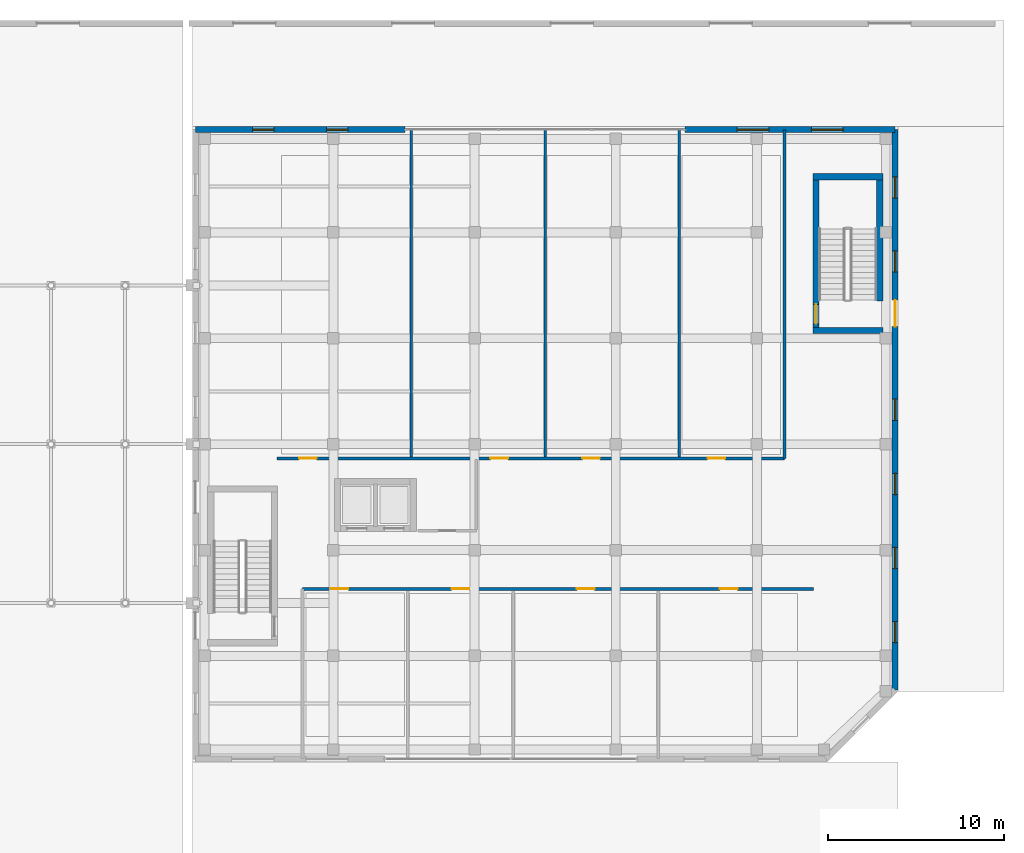
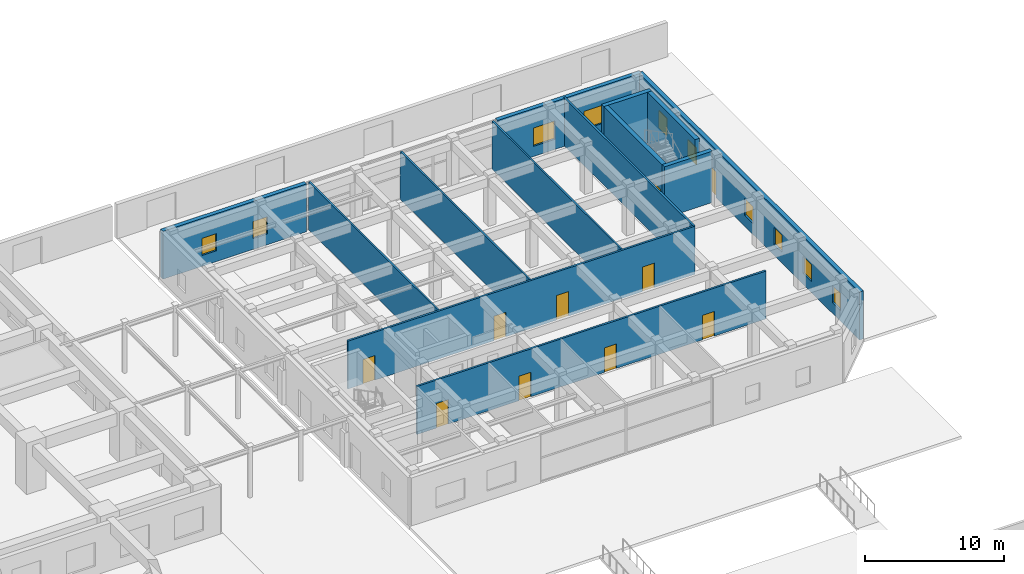
# One storey, part 28 of 39: 13 walls, 10 doors, 10 windows, 20 openings.
"""IFC4 building model written with IfcOpenShell, lengths in metres."""

from ifc_helpers import new_model, si_unit, direction, frame, frame_2d, origin, place, context, subcontext, project, spatial, rectangle, extrude, source, transform, mapped, material, layer, layer_set, type_object, element, fill, save


model = new_model("IFC4")

# Units and contexts
model_context = context("Model", 3, precision=1e-05, world=origin(), true_north=direction((0.0, 1.0)))
body_context = subcontext(model_context, "Body", "Model", "MODEL_VIEW")
ifc_project = project(units=[si_unit("LENGTHUNIT", "METRE"), si_unit("AREAUNIT", "SQUARE_METRE"), si_unit("VOLUMEUNIT", "CUBIC_METRE"), si_unit("PLANEANGLEUNIT", "RADIAN"), si_unit("MASSUNIT", "GRAM", prefix="KILO")], contexts=[model_context])

# Site, building, storey
site_placement = place(None, origin())
site = spatial("IfcSite", under=ifc_project, at=site_placement, CompositionType="ELEMENT")
building_placement = place(site_placement, origin())
building = spatial("IfcBuilding", under=site, at=building_placement, Name="Khoralis Quay Care Tower", CompositionType="ELEMENT")
storey_placement = place(building_placement, origin())
storey = spatial("IfcBuildingStorey", under=building, at=storey_placement, Name="L00", CompositionType="ELEMENT", Elevation=0.0)

# Wall, openings, doors
ifc_material_1 = material(Name="Gypsum plasterboard on acoustic metal stud")
ifc_layer_1 = layer(ifc_material_1, 0.1650390625)
ifc_layer_set_1 = layer_set([ifc_layer_1], Name="Gypsum plasterboard on acoustic metal stud")
wall_type_1 = type_object("IfcWallType", Name="WL-CORR-165", PredefinedType="PARTITIONING", material=ifc_layer_set_1)
wall_1_placement = place(storey_placement, frame((74.25, 15.800048828125, 0.0), z_axis=(0.0, 0.0, 1.0), x_axis=(1.0, 0.0, 0.0)))
wall_1 = element("IfcWall", 1, at=wall_1_placement, inside=storey, type_object=wall_type_1, Name="L00 School Corridor South Wall", PredefinedType="PARTITIONING", context=body_context, shape_type="SweptSolid", body=[
    extrude(rectangle(XDim=28.949951171875, YDim=0.1650390625, at=frame_2d((14.47509765625, 0.0))), origin(), (0.0, 0.0, 1.0), 4.199951171875),
])
opening_1_placement = place(wall_1_placement, frame((1.60009765625, 0.0, 0.0)))
opening_1 = element("IfcOpeningElement", 2, at=opening_1_placement, cuts=wall_1, Name="Opening SCD1", PredefinedType="OPENING", context=body_context, shape_type="SweptSolid", body=[
    extrude(rectangle(XDim=1.0, YDim=2.14990234375, at=frame_2d((0.5, 1.074951171875))), frame((0.0, 0.092529296875, 0.0), z_axis=(0.0, -1.0, 0.0), x_axis=(1.0, 0.0, 0.0)), (0.0, 0.0, 1.0), 0.18505859375),
])
opening_2_placement = place(wall_1_placement, frame((8.449951171875, 0.0, 0.0)))
opening_2 = element("IfcOpeningElement", 3, at=opening_2_placement, cuts=wall_1, Name="Opening SCD1", PredefinedType="OPENING", context=body_context, shape_type="SweptSolid", body=[
    extrude(rectangle(XDim=1.0, YDim=2.14990234375, at=frame_2d((0.5, 1.074951171875))), frame((0.0, 0.092529296875, 0.0), z_axis=(0.0, -1.0, 0.0), x_axis=(1.0, 0.0, 0.0)), (0.0, 0.0, 1.0), 0.18505859375),
])
opening_3_placement = place(wall_1_placement, frame((15.550048828125, 0.0, 0.0)))
opening_3 = element("IfcOpeningElement", 4, at=opening_3_placement, cuts=wall_1, Name="Opening SCD1", PredefinedType="OPENING", context=body_context, shape_type="SweptSolid", body=[
    extrude(rectangle(XDim=1.0, YDim=2.14990234375, at=frame_2d((0.5, 1.074951171875))), frame((0.0, 0.092529296875, 0.0), z_axis=(0.0, -1.0, 0.0), x_axis=(1.0, 0.0, 0.0)), (0.0, 0.0, 1.0), 0.18505859375),
])
opening_4_placement = place(wall_1_placement, frame((23.64990234375, 0.0, 0.0)))
opening_4 = element("IfcOpeningElement", 5, at=opening_4_placement, cuts=wall_1, Name="Opening SCD1", PredefinedType="OPENING", context=body_context, shape_type="SweptSolid", body=[
    extrude(rectangle(XDim=1.0, YDim=2.14990234375, at=frame_2d((0.5, 1.074951171875))), frame((0.0, 0.092529296875, 0.0), z_axis=(0.0, -1.0, 0.0), x_axis=(1.0, 0.0, 0.0)), (0.0, 0.0, 1.0), 0.18505859375),
])
ifc_material_2 = material(Name="Acoustic hardwood timber", Category="wood")
door_type_1 = type_object("IfcDoorType", Name="DR-SCH-1000X2150", OperationType="NOTDEFINED", PredefinedType="DOOR", material=ifc_material_2)
shared_shape_1 = source(origin(), body_context, "Body", "SweptSolid", [
    extrude(rectangle(XDim=1.0, YDim=2.14990234375, at=frame_2d((0.5, 1.074951171875))), frame((0.0, 0.02490234375, 0.0), z_axis=(0.0, -1.0, 0.0), x_axis=(1.0, 0.0, 0.0)), (0.0, 0.0, 1.0), 0.050048828125),
])
door_1_placement = place(opening_1_placement, frame((1.0, 0.0, 0.0), z_axis=(0.0, 0.0, 1.0), x_axis=(-1.0, 0.0, 0.0)))
door_1 = element("IfcDoor", 6, at=door_1_placement, inside=storey, type_object=door_type_1, Name="L00 Primary Classroom Door", OperationType="SINGLE_SWING_LEFT", OverallHeight=2.14990234375, OverallWidth=1.0, PredefinedType="DOOR", context=body_context, shape_type="MappedRepresentation", body=[
    mapped(shared_shape_1, transform((0.0, 0.0, 0.0), scale=1.0)),
])
fill(opening_1, door_1)
door_2_placement = place(opening_2_placement, frame((1.0, 0.0, 0.0), z_axis=(0.0, 0.0, 1.0), x_axis=(-1.0, 0.0, 0.0)))
door_2 = element("IfcDoor", 7, at=door_2_placement, inside=storey, type_object=door_type_1, Name="L00 STEM Science Laboratory Door", OperationType="SINGLE_SWING_RIGHT", OverallHeight=2.14990234375, OverallWidth=1.0, PredefinedType="DOOR", context=body_context, shape_type="MappedRepresentation", body=[
    mapped(shared_shape_1, transform((0.0, 0.0, 0.0), scale=1.0)),
])
fill(opening_2, door_2)
door_3_placement = place(opening_3_placement, frame((1.0, 0.0, 0.0), z_axis=(0.0, 0.0, 1.0), x_axis=(-1.0, 0.0, 0.0)))
door_3 = element("IfcDoor", 8, at=door_3_placement, inside=storey, type_object=door_type_1, Name="L00 Digital Media Classroom Door", OperationType="SINGLE_SWING_LEFT", OverallHeight=2.14990234375, OverallWidth=1.0, PredefinedType="DOOR", context=body_context, shape_type="MappedRepresentation", body=[
    mapped(shared_shape_1, transform((0.0, 0.0, 0.0), scale=1.0)),
])
fill(opening_3, door_3)
door_4_placement = place(opening_4_placement, frame((1.0, 0.0, 0.0), z_axis=(0.0, 0.0, 1.0), x_axis=(-1.0, 0.0, 0.0)))
door_4 = element("IfcDoor", 9, at=door_4_placement, inside=storey, type_object=door_type_1, Name="L00 Music & Drama Atelier Door", OperationType="SINGLE_SWING_RIGHT", OverallHeight=2.14990234375, OverallWidth=1.0, PredefinedType="DOOR", context=body_context, shape_type="MappedRepresentation", body=[
    mapped(shared_shape_1, transform((0.0, 0.0, 0.0), scale=1.0)),
])
fill(opening_4, door_4)

wall_2_placement = place(storey_placement, frame((72.800048828125, 23.199951171875, 0.0), z_axis=(0.0, 0.0, 1.0), x_axis=(1.0, 0.0, 0.0)))
wall_2 = element("IfcWall", 10, at=wall_2_placement, inside=storey, type_object=wall_type_1, Name="L00 School Corridor North Wall", PredefinedType="PARTITIONING", context=body_context, shape_type="SweptSolid", body=[
    extrude(rectangle(XDim=28.75, YDim=0.1650390625, at=frame_2d((14.375, 0.0))), origin(), (0.0, 0.0, 1.0), 4.199951171875),
])
opening_5_placement = place(wall_2_placement, frame((1.25, 0.0, 0.0)))
opening_5 = element("IfcOpeningElement", 11, at=opening_5_placement, cuts=wall_2, Name="Opening SCD1", PredefinedType="OPENING", context=body_context, shape_type="SweptSolid", body=[
    extrude(rectangle(XDim=1.0, YDim=2.14990234375, at=frame_2d((0.5, 1.074951171875))), frame((0.0, 0.092529296875, 0.0), z_axis=(0.0, -1.0, 0.0), x_axis=(1.0, 0.0, 0.0)), (0.0, 0.0, 1.0), 0.18505859375),
])
opening_6_placement = place(wall_2_placement, frame((12.10009765625, 0.0, 0.0)))
opening_6 = element("IfcOpeningElement", 12, at=opening_6_placement, cuts=wall_2, Name="Opening SCD1", PredefinedType="OPENING", context=body_context, shape_type="SweptSolid", body=[
    extrude(rectangle(XDim=1.0, YDim=2.14990234375, at=frame_2d((0.5, 1.074951171875))), frame((0.0, 0.092529296875, 0.0), z_axis=(0.0, -1.0, 0.0), x_axis=(1.0, 0.0, 0.0)), (0.0, 0.0, 1.0), 0.18505859375),
])
opening_7_placement = place(wall_2_placement, frame((17.300048828125, 0.0, 0.0)))
opening_7 = element("IfcOpeningElement", 13, at=opening_7_placement, cuts=wall_2, Name="Opening SCD1", PredefinedType="OPENING", context=body_context, shape_type="SweptSolid", body=[
    extrude(rectangle(XDim=1.0, YDim=2.14990234375, at=frame_2d((0.5, 1.074951171875))), frame((0.0, 0.092529296875, 0.0), z_axis=(0.0, -1.0, 0.0), x_axis=(1.0, 0.0, 0.0)), (0.0, 0.0, 1.0), 0.18505859375),
])
opening_8_placement = place(wall_2_placement, frame((24.39990234375, 0.0, 0.0)))
opening_8 = element("IfcOpeningElement", 14, at=opening_8_placement, cuts=wall_2, Name="Opening SCD1", PredefinedType="OPENING", context=body_context, shape_type="SweptSolid", body=[
    extrude(rectangle(XDim=1.0, YDim=2.14990234375, at=frame_2d((0.5, 1.074951171875))), frame((0.0, 0.092529296875, 0.0), z_axis=(0.0, -1.0, 0.0), x_axis=(1.0, 0.0, 0.0)), (0.0, 0.0, 1.0), 0.18505859375),
])
door_5_placement = place(opening_5_placement, origin())
door_5 = element("IfcDoor", 15, at=door_5_placement, inside=storey, type_object=door_type_1, Name="L00 Academy Library Reading Room Door", OperationType="SINGLE_SWING_RIGHT", OverallHeight=2.14990234375, OverallWidth=1.0, PredefinedType="DOOR", context=body_context, shape_type="MappedRepresentation", body=[
    mapped(shared_shape_1, transform((0.0, 0.0, 0.0), scale=1.0)),
])
fill(opening_5, door_5)
door_6_placement = place(opening_6_placement, origin())
door_6 = element("IfcDoor", 16, at=door_6_placement, inside=storey, type_object=door_type_1, Name="L00 Secondary Classroom Door", OperationType="SINGLE_SWING_LEFT", OverallHeight=2.14990234375, OverallWidth=1.0, PredefinedType="DOOR", context=body_context, shape_type="MappedRepresentation", body=[
    mapped(shared_shape_1, transform((0.0, 0.0, 0.0), scale=1.0)),
])
fill(opening_6, door_6)
door_7_placement = place(opening_7_placement, origin())
door_7 = element("IfcDoor", 17, at=door_7_placement, inside=storey, type_object=door_type_1, Name="L00 Faculty Preparation Office Door", OperationType="SINGLE_SWING_RIGHT", OverallHeight=2.14990234375, OverallWidth=1.0, PredefinedType="DOOR", context=body_context, shape_type="MappedRepresentation", body=[
    mapped(shared_shape_1, transform((0.0, 0.0, 0.0), scale=1.0)),
])
fill(opening_7, door_7)
door_8_placement = place(opening_8_placement, origin())
door_8 = element("IfcDoor", 18, at=door_8_placement, inside=storey, type_object=door_type_1, Name="L00 Robotics Laboratory Door", OperationType="SINGLE_SWING_LEFT", OverallHeight=2.14990234375, OverallWidth=1.0, PredefinedType="DOOR", context=body_context, shape_type="MappedRepresentation", body=[
    mapped(shared_shape_1, transform((0.0, 0.0, 0.0), scale=1.0)),
])
fill(opening_8, door_8)

# Wall
wall_3_placement = place(storey_placement, frame((101.550048828125, 23.199951171875, 0.0), z_axis=(0.0, 0.0, 1.0), x_axis=(0.0, 1.0, 0.0)))
element("IfcWall", 19, at=wall_3_placement, inside=storey, type_object=wall_type_1, Name="L00 School East Stair Corridor Wall", PredefinedType="PARTITIONING", context=body_context, shape_type="SweptSolid", body=[
    extrude(rectangle(XDim=18.614990234375, YDim=0.1650390625, at=frame_2d((9.3076171875, 0.0))), origin(), (0.0, 0.0, 1.0), 4.199951171875),
])

# Wall, openings, door, windows
ifc_material_3 = material(Name="Precast concrete C40/50", Category="concrete")
ifc_layer_2 = layer(ifc_material_3, 0.340087890625)
ifc_layer_set_2 = layer_set([ifc_layer_2], Name="Precast concrete C40/50")
wall_type_2 = type_object("IfcWallType", Name="WL-EXT-SCH-340", PredefinedType="SOLIDWALL", material=ifc_layer_set_2)
wall_4_placement = place(storey_placement, frame((107.830078125, 10.0703125, 0.0), z_axis=(0.0, 0.0, 1.0), x_axis=(0.0, 1.0, 0.0)))
wall_4 = element("IfcWall", 20, at=wall_4_placement, inside=storey, type_object=wall_type_2, Name="L00 External Facade Wall WL-SCH-L00-E2", PredefinedType="SOLIDWALL", context=body_context, shape_type="SweptSolid", body=[
    extrude(rectangle(XDim=31.759765625, YDim=0.340087890625, at=frame_2d((15.8798828125, 0.0))), origin(), (0.0, 0.0, 1.0), 4.199951171875),
])
opening_9_placement = place(wall_4_placement, frame((2.6796875, 0.0, 0.949951171875)))
opening_9 = element("IfcOpeningElement", 21, at=opening_9_placement, cuts=wall_4, Name="Opening W6", PredefinedType="OPENING", context=body_context, shape_type="SweptSolid", body=[
    extrude(rectangle(XDim=1.199951171875, YDim=1.5, at=frame_2d((0.60009765625, 0.75))), frame((0.0, 0.18017578125, 0.0), z_axis=(0.0, -1.0, 0.0), x_axis=(1.0, 0.0, 0.0)), (0.0, 0.0, 1.0), 0.360107421875),
])
opening_10_placement = place(wall_4_placement, frame((6.8798828125, 0.0, 0.949951171875)))
opening_10 = element("IfcOpeningElement", 22, at=opening_10_placement, cuts=wall_4, Name="Opening W6", PredefinedType="OPENING", context=body_context, shape_type="SweptSolid", body=[
    extrude(rectangle(XDim=1.199951171875, YDim=1.5, at=frame_2d((0.60009765625, 0.75))), frame((0.0, 0.18017578125, 0.0), z_axis=(0.0, -1.0, 0.0), x_axis=(1.0, 0.0, 0.0)), (0.0, 0.0, 1.0), 0.360107421875),
])
opening_11_placement = place(wall_4_placement, frame((11.079833984375, 0.0, 0.949951171875)))
opening_11 = element("IfcOpeningElement", 23, at=opening_11_placement, cuts=wall_4, Name="Opening W6", PredefinedType="OPENING", context=body_context, shape_type="SweptSolid", body=[
    extrude(rectangle(XDim=1.199951171875, YDim=1.5, at=frame_2d((0.60009765625, 0.75))), frame((0.0, 0.18017578125, 0.0), z_axis=(0.0, -1.0, 0.0), x_axis=(1.0, 0.0, 0.0)), (0.0, 0.0, 1.0), 0.360107421875),
])
opening_12_placement = place(wall_4_placement, frame((15.27978515625, 0.0, 0.949951171875)))
opening_12 = element("IfcOpeningElement", 24, at=opening_12_placement, cuts=wall_4, Name="Opening W6", PredefinedType="OPENING", context=body_context, shape_type="SweptSolid", body=[
    extrude(rectangle(XDim=1.199951171875, YDim=1.5, at=frame_2d((0.60009765625, 0.75))), frame((0.0, 0.18017578125, 0.0), z_axis=(0.0, -1.0, 0.0), x_axis=(1.0, 0.0, 0.0)), (0.0, 0.0, 1.0), 0.360107421875),
])
opening_13_placement = place(wall_4_placement, frame((23.6796875, 0.0, 0.949951171875)))
opening_13 = element("IfcOpeningElement", 25, at=opening_13_placement, cuts=wall_4, Name="Opening W6", PredefinedType="OPENING", context=body_context, shape_type="SweptSolid", body=[
    extrude(rectangle(XDim=1.199951171875, YDim=1.5, at=frame_2d((0.60009765625, 0.75))), frame((0.0, 0.18017578125, 0.0), z_axis=(0.0, -1.0, 0.0), x_axis=(1.0, 0.0, 0.0)), (0.0, 0.0, 1.0), 0.360107421875),
])
opening_14_placement = place(wall_4_placement, frame((27.8798828125, 0.0, 0.949951171875)))
opening_14 = element("IfcOpeningElement", 26, at=opening_14_placement, cuts=wall_4, Name="Opening W6", PredefinedType="OPENING", context=body_context, shape_type="SweptSolid", body=[
    extrude(rectangle(XDim=1.199951171875, YDim=1.5, at=frame_2d((0.60009765625, 0.75))), frame((0.0, 0.18017578125, 0.0), z_axis=(0.0, -1.0, 0.0), x_axis=(1.0, 0.0, 0.0)), (0.0, 0.0, 1.0), 0.360107421875),
])
opening_15_placement = place(wall_4_placement, frame((20.599609375, 0.0, 0.0)))
opening_15 = element("IfcOpeningElement", 27, at=opening_15_placement, cuts=wall_4, Name="Opening TD1", PredefinedType="OPENING", context=body_context, shape_type="SweptSolid", body=[
    extrude(rectangle(XDim=1.5, YDim=2.300048828125, at=frame_2d((0.75, 1.14990234375))), frame((0.0, 0.18017578125, 0.0), z_axis=(0.0, -1.0, 0.0), x_axis=(1.0, 0.0, 0.0)), (0.0, 0.0, 1.0), 0.360107421875),
])
ifc_material_4 = material(Name="Anodised aluminium and laminated safety glass", Category="aluminium")
door_type_2 = type_object("IfcDoorType", Name="DR-EXT-TERR-1500X2300", OperationType="NOTDEFINED", PredefinedType="DOOR", material=ifc_material_4)
shared_shape_2 = source(origin(), body_context, "Body", "SweptSolid", [
    extrude(rectangle(XDim=1.5, YDim=2.300048828125, at=frame_2d((0.75, 1.14990234375))), frame((0.0, 0.02490234375, 0.0), z_axis=(0.0, -1.0, 0.0), x_axis=(1.0, 0.0, 0.0)), (0.0, 0.0, 1.0), 0.050048828125),
])
door_9_placement = place(opening_15_placement, frame((1.5, 0.0, 0.0), z_axis=(0.0, 0.0, 1.0), x_axis=(-1.0, 0.0, 0.0)))
door_9 = element("IfcDoor", 28, at=door_9_placement, inside=storey, type_object=door_type_2, Name="School Stair ST-S2 East Final Exit Door", OperationType="DOUBLE_DOOR_SINGLE_SWING", OverallHeight=2.300048828125, OverallWidth=1.5, PredefinedType="DOOR", context=body_context, shape_type="MappedRepresentation", body=[
    mapped(shared_shape_2, transform((0.0, 0.0, 0.0), scale=1.0)),
])
fill(opening_15, door_9)
ifc_material_5 = material(Name="Low-E solar-control double glazing", Category="glass")
window_type_1 = type_object("IfcWindowType", Name="WN-SCH-1200X1500", PartitioningType="SINGLE_PANEL", PredefinedType="WINDOW", material=ifc_material_5)
shared_shape_3 = source(origin(), body_context, "Body", "SweptSolid", [
    extrude(rectangle(XDim=1.199951171875, YDim=1.5, at=frame_2d((0.60009765625, 0.75))), frame((0.0, 0.030029296875, 0.0), z_axis=(0.0, -1.0, 0.0), x_axis=(1.0, 0.0, 0.0)), (0.0, 0.0, 1.0), 0.06005859375),
])
window_1_placement = place(opening_9_placement, origin())
window_1 = element("IfcWindow", 29, at=window_1_placement, inside=storey, type_object=window_type_1, Name="WN-SCH-L00-E2 Classroom Window 01", OverallHeight=1.5, OverallWidth=1.199951171875, PartitioningType="SINGLE_PANEL", PredefinedType="WINDOW", context=body_context, shape_type="MappedRepresentation", body=[
    mapped(shared_shape_3, transform((0.0, 0.0, 0.0), scale=1.0)),
])
fill(opening_9, window_1)
window_2_placement = place(opening_10_placement, origin())
window_2 = element("IfcWindow", 30, at=window_2_placement, inside=storey, type_object=window_type_1, Name="WN-SCH-L00-E2 Classroom Window 02", OverallHeight=1.5, OverallWidth=1.199951171875, PartitioningType="SINGLE_PANEL", PredefinedType="WINDOW", context=body_context, shape_type="MappedRepresentation", body=[
    mapped(shared_shape_3, transform((0.0, 0.0, 0.0), scale=1.0)),
])
fill(opening_10, window_2)
window_3_placement = place(opening_11_placement, origin())
window_3 = element("IfcWindow", 31, at=window_3_placement, inside=storey, type_object=window_type_1, Name="WN-SCH-L00-E2 Classroom Window 03", OverallHeight=1.5, OverallWidth=1.199951171875, PartitioningType="SINGLE_PANEL", PredefinedType="WINDOW", context=body_context, shape_type="MappedRepresentation", body=[
    mapped(shared_shape_3, transform((0.0, 0.0, 0.0), scale=1.0)),
])
fill(opening_11, window_3)
window_4_placement = place(opening_12_placement, origin())
window_4 = element("IfcWindow", 32, at=window_4_placement, inside=storey, type_object=window_type_1, Name="WN-SCH-L00-E2 Classroom Window 04", OverallHeight=1.5, OverallWidth=1.199951171875, PartitioningType="SINGLE_PANEL", PredefinedType="WINDOW", context=body_context, shape_type="MappedRepresentation", body=[
    mapped(shared_shape_3, transform((0.0, 0.0, 0.0), scale=1.0)),
])
fill(opening_12, window_4)
window_5_placement = place(opening_13_placement, origin())
window_5 = element("IfcWindow", 33, at=window_5_placement, inside=storey, type_object=window_type_1, Name="WN-SCH-L00-E2 Classroom Window 06", OverallHeight=1.5, OverallWidth=1.199951171875, PartitioningType="SINGLE_PANEL", PredefinedType="WINDOW", context=body_context, shape_type="MappedRepresentation", body=[
    mapped(shared_shape_3, transform((0.0, 0.0, 0.0), scale=1.0)),
])
fill(opening_13, window_5)
window_6_placement = place(opening_14_placement, origin())
window_6 = element("IfcWindow", 34, at=window_6_placement, inside=storey, type_object=window_type_1, Name="WN-SCH-L00-E2 Classroom Window 07", OverallHeight=1.5, OverallWidth=1.199951171875, PartitioningType="SINGLE_PANEL", PredefinedType="WINDOW", context=body_context, shape_type="MappedRepresentation", body=[
    mapped(shared_shape_3, transform((0.0, 0.0, 0.0), scale=1.0)),
])
fill(opening_14, window_6)

# Wall, openings, windows
wall_5_placement = place(storey_placement, frame((107.830078125, 41.830078125, 0.0), z_axis=(0.0, 0.0, 1.0), x_axis=(-1.0, 0.0, 0.0)))
wall_5 = element("IfcWall", 35, at=wall_5_placement, inside=storey, type_object=wall_type_2, Name="L00 External Facade Wall WL-SCH-L00-E3A", PredefinedType="SOLIDWALL", context=body_context, shape_type="SweptSolid", body=[
    extrude(rectangle(XDim=11.898193359375, YDim=0.340087890625, at=frame_2d((5.94921875, 0.0))), origin(), (0.0, 0.0, 1.0), 4.199951171875),
])
opening_16_placement = place(wall_5_placement, frame((2.948974609375, 0.0, 0.89990234375)))
opening_16 = element("IfcOpeningElement", 36, at=opening_16_placement, cuts=wall_5, Name="Opening W5", PredefinedType="OPENING", context=body_context, shape_type="SweptSolid", body=[
    extrude(rectangle(XDim=1.800048828125, YDim=1.60009765625, at=frame_2d((0.89990234375, 0.800048828125))), frame((0.0, 0.18017578125, 0.0), z_axis=(0.0, -1.0, 0.0), x_axis=(1.0, 0.0, 0.0)), (0.0, 0.0, 1.0), 0.360107421875),
])
opening_17_placement = place(wall_5_placement, frame((7.14892578125, 0.0, 0.89990234375)))
opening_17 = element("IfcOpeningElement", 37, at=opening_17_placement, cuts=wall_5, Name="Opening W5", PredefinedType="OPENING", context=body_context, shape_type="SweptSolid", body=[
    extrude(rectangle(XDim=1.800048828125, YDim=1.60009765625, at=frame_2d((0.89990234375, 0.800048828125))), frame((0.0, 0.18017578125, 0.0), z_axis=(0.0, -1.0, 0.0), x_axis=(1.0, 0.0, 0.0)), (0.0, 0.0, 1.0), 0.360107421875),
])
window_type_2 = type_object("IfcWindowType", Name="WN-SCH-1800X1600", PartitioningType="SINGLE_PANEL", PredefinedType="WINDOW", material=ifc_material_5)
shared_shape_4 = source(origin(), body_context, "Body", "SweptSolid", [
    extrude(rectangle(XDim=1.800048828125, YDim=1.60009765625, at=frame_2d((0.89990234375, 0.800048828125))), frame((0.0, 0.030029296875, 0.0), z_axis=(0.0, -1.0, 0.0), x_axis=(1.0, 0.0, 0.0)), (0.0, 0.0, 1.0), 0.06005859375),
])
window_7_placement = place(opening_16_placement, origin())
window_7 = element("IfcWindow", 38, at=window_7_placement, inside=storey, type_object=window_type_2, Name="WN-SCH-L00-3A Classroom Window 01", OverallHeight=1.60009765625, OverallWidth=1.800048828125, PartitioningType="SINGLE_PANEL", PredefinedType="WINDOW", context=body_context, shape_type="MappedRepresentation", body=[
    mapped(shared_shape_4, transform((0.0, 0.0, 0.0), scale=1.0)),
])
fill(opening_16, window_7)
window_8_placement = place(opening_17_placement, origin())
window_8 = element("IfcWindow", 39, at=window_8_placement, inside=storey, type_object=window_type_2, Name="WN-SCH-L00-3A Classroom Window 02", OverallHeight=1.60009765625, OverallWidth=1.800048828125, PartitioningType="SINGLE_PANEL", PredefinedType="WINDOW", context=body_context, shape_type="MappedRepresentation", body=[
    mapped(shared_shape_4, transform((0.0, 0.0, 0.0), scale=1.0)),
])
fill(opening_17, window_8)

wall_6_placement = place(storey_placement, frame((80.068115234375, 41.830078125, 0.0), z_axis=(0.0, 0.0, 1.0), x_axis=(-1.0, 0.0, 0.0)))
wall_6 = element("IfcWall", 40, at=wall_6_placement, inside=storey, type_object=wall_type_2, Name="L00 External Facade Wall WL-SCH-L00-E3B", PredefinedType="SOLIDWALL", context=body_context, shape_type="SweptSolid", body=[
    extrude(rectangle(XDim=11.898193359375, YDim=0.340087890625, at=frame_2d((5.94921875, 0.0))), origin(), (0.0, 0.0, 1.0), 4.199951171875),
])
opening_18_placement = place(wall_6_placement, frame((3.2490234375, 0.0, 0.949951171875)))
opening_18 = element("IfcOpeningElement", 41, at=opening_18_placement, cuts=wall_6, Name="Opening W6", PredefinedType="OPENING", context=body_context, shape_type="SweptSolid", body=[
    extrude(rectangle(XDim=1.199951171875, YDim=1.5, at=frame_2d((0.60009765625, 0.75))), frame((0.0, 0.18017578125, 0.0), z_axis=(0.0, -1.0, 0.0), x_axis=(1.0, 0.0, 0.0)), (0.0, 0.0, 1.0), 0.360107421875),
])
opening_19_placement = place(wall_6_placement, frame((7.448974609375, 0.0, 0.949951171875)))
opening_19 = element("IfcOpeningElement", 42, at=opening_19_placement, cuts=wall_6, Name="Opening W6", PredefinedType="OPENING", context=body_context, shape_type="SweptSolid", body=[
    extrude(rectangle(XDim=1.199951171875, YDim=1.5, at=frame_2d((0.60009765625, 0.75))), frame((0.0, 0.18017578125, 0.0), z_axis=(0.0, -1.0, 0.0), x_axis=(1.0, 0.0, 0.0)), (0.0, 0.0, 1.0), 0.360107421875),
])
window_9_placement = place(opening_18_placement, origin())
window_9 = element("IfcWindow", 43, at=window_9_placement, inside=storey, type_object=window_type_1, Name="WN-SCH-L00-3B Classroom Window 01", OverallHeight=1.5, OverallWidth=1.199951171875, PartitioningType="SINGLE_PANEL", PredefinedType="WINDOW", context=body_context, shape_type="MappedRepresentation", body=[
    mapped(shared_shape_3, transform((0.0, 0.0, 0.0), scale=1.0)),
])
fill(opening_18, window_9)
window_10_placement = place(opening_19_placement, origin())
window_10 = element("IfcWindow", 44, at=window_10_placement, inside=storey, type_object=window_type_1, Name="WN-SCH-L00-3B Classroom Window 02", OverallHeight=1.5, OverallWidth=1.199951171875, PartitioningType="SINGLE_PANEL", PredefinedType="WINDOW", context=body_context, shape_type="MappedRepresentation", body=[
    mapped(shared_shape_3, transform((0.0, 0.0, 0.0), scale=1.0)),
])
fill(opening_19, window_10)

# Wall, opening, door
ifc_material_6 = material(Name="Concrete C40/50", Category="concrete")
ifc_layer_3 = layer(ifc_material_6, 0.35009765625)
ifc_layer_set_3 = layer_set([ifc_layer_3], Name="Concrete C40/50")
wall_type_3 = type_object("IfcWallType", Name="WL-SC-CORE-350", PredefinedType="SHEAR", material=ifc_layer_set_3)
wall_7_placement = place(storey_placement, frame((103.344970703125, 30.27001953125, 0.0), z_axis=(0.0, 0.0, 1.0), x_axis=(0.0, 1.0, 0.0)))
wall_7 = element("IfcWall", 45, at=wall_7_placement, inside=storey, type_object=wall_type_3, Name="L00 School Stair ST-S2 West Shear Wall", PredefinedType="SHEAR", context=body_context, shape_type="SweptSolid", body=[
    extrude(rectangle(XDim=9.06005859375, YDim=0.35009765625, at=frame_2d((4.530029296875, 0.0))), origin(), (0.0, 0.0, 1.0), 4.5),
])
opening_20_placement = place(wall_7_placement, frame((0.550048828125, 0.0, 0.0)))
opening_20 = element("IfcOpeningElement", 46, at=opening_20_placement, cuts=wall_7, Name="Opening SD1", PredefinedType="OPENING", context=body_context, shape_type="SweptSolid", body=[
    extrude(rectangle(XDim=1.10009765625, YDim=2.199951171875, at=frame_2d((0.550048828125, 1.10009765625))), frame((0.0, 0.18505859375, 0.0), z_axis=(0.0, -1.0, 0.0), x_axis=(1.0, 0.0, 0.0)), (0.0, 0.0, 1.0), 0.3701171875),
])
ifc_material_7 = material(Name="Fire-rated painted steel", Category="steel")
door_type_3 = type_object("IfcDoorType", Name="DR-STAIR-1100X2200", OperationType="NOTDEFINED", PredefinedType="DOOR", material=ifc_material_7)
shared_shape_5 = source(origin(), body_context, "Body", "SweptSolid", [
    extrude(rectangle(XDim=1.10009765625, YDim=2.199951171875, at=frame_2d((0.550048828125, 1.10009765625))), frame((0.0, 0.02490234375, 0.0), z_axis=(0.0, -1.0, 0.0), x_axis=(1.0, 0.0, 0.0)), (0.0, 0.0, 1.0), 0.050048828125),
])
door_10_placement = place(opening_20_placement, frame((1.10009765625, 0.0, 0.0), z_axis=(0.0, 0.0, 1.0), x_axis=(-1.0, 0.0, 0.0)))
door_10 = element("IfcDoor", 47, at=door_10_placement, inside=storey, type_object=door_type_3, Name="L00 School Stair ST-S2 Door", OperationType="SINGLE_SWING_RIGHT", OverallHeight=2.199951171875, OverallWidth=1.10009765625, PredefinedType="DOOR", context=body_context, shape_type="MappedRepresentation", body=[
    mapped(shared_shape_5, transform((0.0, 0.0, 0.0), scale=1.0)),
])
fill(opening_20, door_10)

# Walls
for number, where, z_axis, x_axis, name in (
    (48, (103.169921875, 30.445068359375, 0.0), (0.0, 0.0, 1.0), (1.0, 0.0, 0.0), "L00 School Stair ST-S2 South Shear Wall"),
    (49, (103.169921875, 39.155029296875, 0.0), (0.0, 0.0, 1.0), (1.0, 0.0, 0.0), "L00 School Stair ST-S2 North Shear Wall"),
):
    element("IfcWall", number, at=place(storey_placement, frame(where, z_axis=z_axis, x_axis=x_axis)), inside=storey, type_object=wall_type_3, Name=name, PredefinedType="SHEAR", context=body_context, shape_type="SweptSolid", body=[
        extrude(rectangle(XDim=3.9599609375, YDim=0.35009765625, at=frame_2d((1.97998046875, 0.0))), origin(), (0.0, 0.0, 1.0), 4.5),
    ])
wall_8_placement = place(storey_placement, frame((106.955078125, 32.1201171875, 0.0), z_axis=(0.0, 0.0, 1.0), x_axis=(0.0, 1.0, 0.0)))
element("IfcWall", 50, at=wall_8_placement, inside=storey, type_object=wall_type_3, Name="L00 School Stair ST-S2 East Shear Wall", PredefinedType="SHEAR", context=body_context, shape_type="SweptSolid", body=[
    extrude(rectangle(XDim=7.2099609375, YDim=0.35009765625, at=frame_2d((3.60498046875, 0.0))), origin(), (0.0, 0.0, 1.0), 4.5),
])
ifc_layer_4 = layer(ifc_material_1, 0.139892578125)
ifc_layer_set_4 = layer_set([ifc_layer_4], Name="Gypsum plasterboard on acoustic metal stud")
wall_type_4 = type_object("IfcWallType", Name="WL-UNIT-140", PredefinedType="PARTITIONING", material=ifc_layer_set_4)
for number, where, z_axis, x_axis, name in (
    (51, (80.39990234375, 23.277587890625, 0.0), (0.0, 0.0, 1.0), (0.0, 1.0, 0.0), "L00 School North Classroom Wall 1"),
    (52, (88.0, 23.277587890625, 0.0), (0.0, 0.0, 1.0), (0.0, 1.0, 0.0), "L00 School North Classroom Wall 2"),
    (53, (95.60009765625, 23.277587890625, 0.0), (0.0, 0.0, 1.0), (0.0, 1.0, 0.0), "L00 School North Classroom Wall 3"),
):
    element("IfcWall", number, at=place(storey_placement, frame(where, z_axis=z_axis, x_axis=x_axis)), inside=storey, type_object=wall_type_4, Name=name, PredefinedType="PARTITIONING", context=body_context, shape_type="SweptSolid", body=[
        extrude(rectangle(XDim=18.537353515625, YDim=0.139892578125, at=frame_2d((9.2685546875, 0.0))), origin(), (0.0, 0.0, 1.0), 4.199951171875),
    ])

save(model, "model.ifc")
